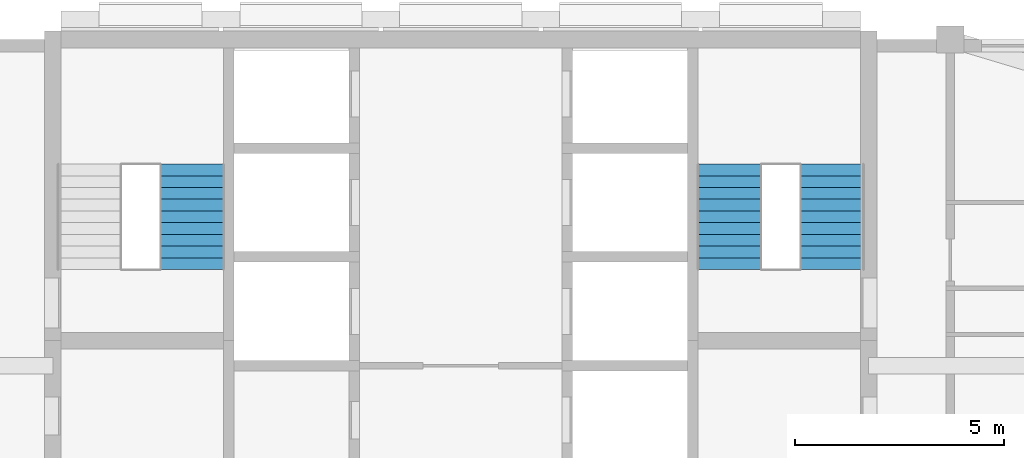
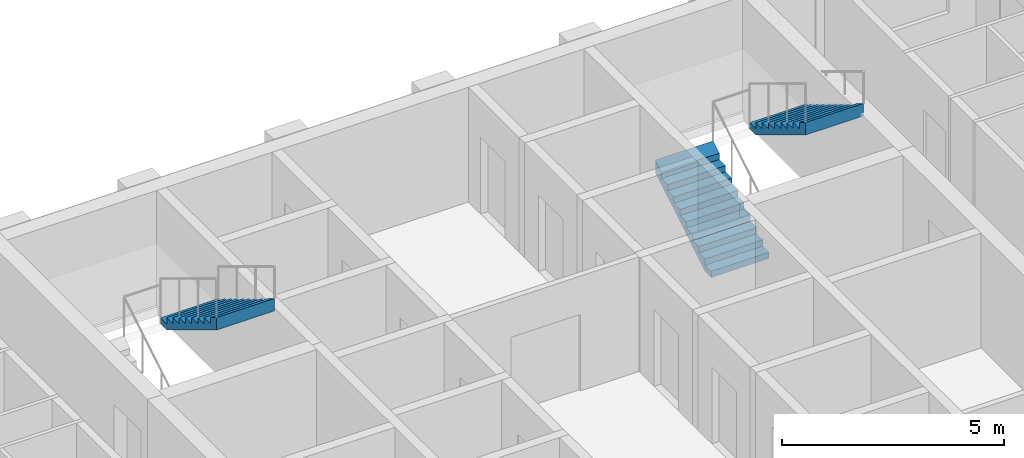
# One storey, part 10 of 13: 3 stair flights, 2 elements without a shape of their own.
"""IFC4 building model written with IfcOpenShell, lengths in metres."""

import ifcopenshell
import ifcopenshell.guid

model = None  # the IFC model being written
_history = None  # IfcOwnerHistory: only IFC2X3 demands one
_inside = {}  # id of a spatial element -> (the spatial element, [elements in it])
_under = {}  # id of a project, library or spatial element -> (it, [spatial elements below it])
_declared = {}  # id of a project -> (the project, [libraries it declares])
_typed = {}  # id of a type object -> (the type object, [elements of that type])
_made_of = {}  # id of a material, layer set ... -> (it, [elements and type objects made of it])


def new_model(schema):
    """Start an empty IFC model of exactly this schema.

    Asked for "IFC4X3", IfcOpenShell would pick the latest addendum, in which some entities
    have other attributes; the version numbers below select the first issue.
    IFC2X3 requires an IfcOwnerHistory on every rooted entity: one is made here for all.
    """
    global model, _history
    if schema == "IFC4X3":
        model = ifcopenshell.file(schema_version=(4, 3, 0, 0))
    else:
        model = ifcopenshell.file(schema=schema)
    _inside.clear()
    _under.clear()
    _declared.clear()
    _typed.clear()
    _made_of.clear()
    _history = None
    if model.schema == "IFC2X3":
        org = make("IfcOrganization", Name="unknown")
        user = make(
            "IfcPersonAndOrganization",
            ThePerson=make("IfcPerson", FamilyName="unknown"),
            TheOrganization=org,
        )
        app = make(
            "IfcApplication",
            ApplicationDeveloper=org,
            Version="unknown",
            ApplicationFullName="unknown",
            ApplicationIdentifier="unknown",
        )
        _history = make(
            "IfcOwnerHistory",
            OwningUser=user,
            OwningApplication=app,
            ChangeAction="ADDED",
            CreationDate=0,
        )
    return model


def make(cls, **values):
    """One entity of the class cls with the attributes given. An attribute that is None is left unset."""
    return model.create_entity(
        cls, **{name: value for name, value in values.items() if value is not None}
    )


def rooted(cls, **values):
    """An entity with a GlobalId (a new one), such as an element, a storey or a relation."""
    return make(cls, GlobalId=ifcopenshell.guid.new(), OwnerHistory=_history, **values)


def si_unit(unit_type, name, prefix=None):
    """IfcSIUnit, for example si_unit("LENGTHUNIT", "METRE", prefix="MILLI")."""
    return make("IfcSIUnit", UnitType=unit_type, Prefix=prefix, Name=name)


def assignment(units):
    """IfcUnitAssignment: the units of a project."""
    return None if units is None else make("IfcUnitAssignment", Units=units)


def point(xyz):
    """IfcCartesianPoint."""
    return None if xyz is None else make("IfcCartesianPoint", Coordinates=xyz)


def direction(xyz):
    """IfcDirection."""
    return None if xyz is None else make("IfcDirection", DirectionRatios=xyz)


def frame(location, z_axis=None, x_axis=None):
    """IfcAxis2Placement3D, a coordinate frame: its origin and axes. An axis left out is left unset."""
    return make(
        "IfcAxis2Placement3D",
        Location=point(location),
        Axis=direction(z_axis),
        RefDirection=direction(x_axis),
    )


def origin():
    """The frame at (0, 0, 0) with its axes left unset."""
    return frame((0.0, 0.0, 0.0))


def place(relative_to, where):
    """IfcLocalPlacement: puts the frame where relative to a parent placement (None: the world)."""
    return make(
        "IfcLocalPlacement", PlacementRelTo=relative_to, RelativePlacement=where
    )


def context(
    kind, dimensions, precision=None, world=None, true_north=None, identifier=None
):
    """IfcGeometricRepresentationContext, for example the 3D "Model" context."""
    return make(
        "IfcGeometricRepresentationContext",
        ContextIdentifier=identifier,
        ContextType=kind,
        CoordinateSpaceDimension=dimensions,
        Precision=precision,
        WorldCoordinateSystem=world,
        TrueNorth=true_north,
    )


def subcontext(parent, identifier, kind, view, scale=None):
    """IfcGeometricRepresentationSubContext, for example "Body" below "Model"."""
    return make(
        "IfcGeometricRepresentationSubContext",
        ContextIdentifier=identifier,
        ContextType=kind,
        ParentContext=parent,
        TargetScale=scale,
        TargetView=view,
    )


def project(units=None, contexts=None):
    """IfcProject with its units and contexts."""
    return rooted(
        "IfcProject",
        Name="project",
        RepresentationContexts=contexts,
        UnitsInContext=assignment(units),
    )


def spatial(cls, under=None, at=None, **own):
    """A site, building, storey or space (cls), placed at a placement, below another one or the project."""
    s = rooted(cls, ObjectPlacement=at, **own)
    if under is not None:
        _under.setdefault(under.id(), (under, []))[1].append(s)
    return s


def point_list(points):
    """IfcCartesianPointList2D or 3D."""
    cls = (
        "IfcCartesianPointList2D" if len(points[0]) == 2 else "IfcCartesianPointList3D"
    )
    return make(cls, CoordList=points)


def triangles(points, corners, closed=None, point_numbers=None):
    """IfcTriangulatedFaceSet: each triangle names its three corners, points numbered from 1."""
    return make(
        "IfcTriangulatedFaceSet",
        Coordinates=point_list(points),
        Closed=closed,
        CoordIndex=corners,
        PnIndex=point_numbers,
    )


def shape(context_of_items, identifier, shape_type, items):
    """IfcShapeRepresentation: the items that make up one representation, for example the "Body"."""
    return make(
        "IfcShapeRepresentation",
        ContextOfItems=context_of_items,
        RepresentationIdentifier=identifier,
        RepresentationType=shape_type,
        Items=items,
    )


def material(Name=None, Category=None):
    """IfcMaterial."""
    return make("IfcMaterial", Name=Name, Category=Category)


def made_of(thing, what):
    """Note that an element or type object is made of a material, layer set ...; save() writes the relation."""
    if what is not None:
        _made_of.setdefault(what.id(), (what, []))[1].append(thing)
    return thing


def type_object(cls, material=None, **own):
    """A type object (cls), such as IfcWallType, which elements share."""
    return made_of(rooted(cls, **own), material)


def element(
    cls,
    number,
    at=None,
    inside=None,
    cuts=None,
    type_object=None,
    material=None,
    context=None,
    identifier="Body",
    shape_type=None,
    held_by="IfcProductDefinitionShape",
    body=None,
    shapes=None,
    **own,
):
    """One element of the class cls, such as IfcWall. Its Tag is "e" and its number.

    at: its placement. inside: the storey or other place that contains it. cuts: it is an
    opening in that element (IfcRelVoidsElement). A single representation is given by context,
    identifier, shape_type and body (its items); several are given by shapes. held_by: the class
    of the entity that holds the representations. save() writes the other relations.
    """
    e = rooted(cls, Tag="e%d" % number, ObjectPlacement=at, **own)
    if body is not None:
        shapes = [shape(context, identifier, shape_type, body)]
    if shapes is not None:
        e.Representation = make(held_by, Representations=shapes)
    if inside is not None:
        _inside.setdefault(inside.id(), (inside, []))[1].append(e)
    if cuts is not None:
        rooted(
            "IfcRelVoidsElement", RelatingBuildingElement=cuts, RelatedOpeningElement=e
        )
    if type_object is not None:
        _typed.setdefault(type_object.id(), (type_object, []))[1].append(e)
    return made_of(e, material)


def aggregate(whole, parts):
    """IfcRelAggregates: a whole, such as a stair, and the parts it consists of."""
    return rooted("IfcRelAggregates", RelatingObject=whole, RelatedObjects=parts)


def save(model, path):
    """Write the relations noted so far, then the file.

    IfcRelAggregates (storeys below a building ...), IfcRelContainedInSpatialStructure (elements
    in a storey), IfcRelDefinesByType, IfcRelAssociatesMaterial and IfcRelDeclares: one each for
    every whole, place, type object, material and project.
    """
    for whole, parts in _under.values():
        aggregate(whole, parts)
    for where, things in _inside.values():
        rooted(
            "IfcRelContainedInSpatialStructure",
            RelatedElements=things,
            RelatingStructure=where,
        )
    for kind, things in _typed.values():
        rooted("IfcRelDefinesByType", RelatedObjects=things, RelatingType=kind)
    for what, things in _made_of.values():
        rooted("IfcRelAssociatesMaterial", RelatedObjects=things, RelatingMaterial=what)
    for by, libraries in _declared.values():
        rooted("IfcRelDeclares", RelatingContext=by, RelatedDefinitions=libraries)
    model.write(path)


model = new_model("IFC4")

# Units and contexts
model_context = context("Model", 3, precision=1e-05, world=origin(), true_north=direction((0.0, 1.0)))
body_context = subcontext(model_context, "Body", "Model", "MODEL_VIEW")
ifc_project = project(units=[si_unit("LENGTHUNIT", "METRE"), si_unit("AREAUNIT", "SQUARE_METRE"), si_unit("VOLUMEUNIT", "CUBIC_METRE"), si_unit("PLANEANGLEUNIT", "RADIAN"), si_unit("MASSUNIT", "GRAM", prefix="KILO")], contexts=[model_context])

# Site, building, storey
site_placement = place(None, origin())
site = spatial("IfcSite", under=ifc_project, at=site_placement, CompositionType="ELEMENT")
building_placement = place(site_placement, origin())
building = spatial("IfcBuilding", under=site, at=building_placement, Name="Ludao Terraces", CompositionType="ELEMENT")
storey_placement = place(building_placement, frame((0.0, 0.0, 259.60009765625)))
storey = spatial("IfcBuildingStorey", under=building, at=storey_placement, Name="L71", CompositionType="ELEMENT", Elevation=259.60009765625)

# Stair, stair flight
ifc_material = material(Name="Concrete C40", Category="concrete")
stair_type = type_object("IfcStairType", Name="INT Stair", PredefinedType="HALF_TURN_STAIR", material=ifc_material)
stair_1_placement = place(storey_placement, origin())
stair_1 = element("IfcStair", 1, at=stair_1_placement, inside=storey, type_object=stair_type, Name="EXIT STAIR 1", PredefinedType="HALF_TURN_STAIR")
stair_flight_type = type_object("IfcStairFlightType", Name="INT Stair flight", PredefinedType="STRAIGHT", material=ifc_material)
stair_flight_1_placement = place(storey_placement, frame((78.574951171875, 81.52001953125, 1.699951171875), z_axis=(0.0, 0.0, 1.0), x_axis=(0.0, -1.0, 0.0)))
stair_flight_1 = element("IfcStairFlight", 2, at=stair_flight_1_placement, type_object=stair_flight_type, Name="ST1 flight 2", NumberOfRisers=10, NumberOfTreads=9, PredefinedType="STRAIGHT", RiserHeight=0.17, TreadLength=0.28, context=body_context, shape_type="Tessellation", body=[
    triangles([(0.0, -0.75, 0.0), (0.0, -0.5, 0.0), (0.0, -0.25, 0.0), (0.0, 0.0, 0.0), (0.0, 0.25, 0.0), (0.0, 0.5, 0.0), (0.0, 0.75, 0.0), (0.0, -0.75, 0.169921875), (0.0, -0.5, 0.169921875), (0.0, -0.25, 0.169921875), (0.0, 0.0, 0.169921875), (0.0, 0.25, 0.169921875), (0.0, 0.5, 0.169921875), (0.0, 0.75, 0.169921875), (0.280029296875, -0.75, 0.169921875), (0.280029296875, -0.5, 0.169921875), (0.280029296875, -0.25, 0.169921875), (0.280029296875, 0.0, 0.169921875), (0.280029296875, 0.25, 0.169921875), (0.280029296875, 0.5, 0.169921875), (0.280029296875, 0.75, 0.169921875), (0.280029296875, -0.75, 0.340087890625), (0.280029296875, -0.5, 0.340087890625), (0.280029296875, -0.25, 0.340087890625), (0.280029296875, 0.0, 0.340087890625), (0.280029296875, 0.25, 0.340087890625), (0.280029296875, 0.5, 0.340087890625), (0.280029296875, 0.75, 0.340087890625), (0.56005859375, -0.75, 0.340087890625), (0.56005859375, -0.5, 0.340087890625), (0.56005859375, -0.25, 0.340087890625), (0.56005859375, 0.0, 0.340087890625), (0.56005859375, 0.25, 0.340087890625), (0.56005859375, 0.5, 0.340087890625), (0.56005859375, 0.75, 0.340087890625), (0.56005859375, -0.75, 0.510009765625), (0.56005859375, -0.5, 0.510009765625), (0.56005859375, -0.25, 0.510009765625), (0.56005859375, 0.0, 0.510009765625), (0.56005859375, 0.25, 0.510009765625), (0.56005859375, 0.5, 0.510009765625), (0.56005859375, 0.75, 0.510009765625), (0.840087890625, -0.75, 0.510009765625), (0.840087890625, -0.5, 0.510009765625), (0.840087890625, -0.25, 0.510009765625), (0.840087890625, 0.0, 0.510009765625), (0.840087890625, 0.25, 0.510009765625), (0.840087890625, 0.5, 0.510009765625), (0.840087890625, 0.75, 0.510009765625), (0.840087890625, -0.75, 0.679931640625), (0.840087890625, -0.5, 0.679931640625), (0.840087890625, -0.25, 0.679931640625), (0.840087890625, 0.0, 0.679931640625), (0.840087890625, 0.25, 0.679931640625), (0.840087890625, 0.5, 0.679931640625), (0.840087890625, 0.75, 0.679931640625), (1.1201171875, -0.75, 0.679931640625), (1.1201171875, -0.5, 0.679931640625), (1.1201171875, -0.25, 0.679931640625), (1.1201171875, 0.0, 0.679931640625), (1.1201171875, 0.25, 0.679931640625), (1.1201171875, 0.5, 0.679931640625), (1.1201171875, 0.75, 0.679931640625), (1.1201171875, -0.75, 0.85009765625), (1.1201171875, -0.5, 0.85009765625), (1.1201171875, -0.25, 0.85009765625), (1.1201171875, 0.0, 0.85009765625), (1.1201171875, 0.25, 0.85009765625), (1.1201171875, 0.5, 0.85009765625), (1.1201171875, 0.75, 0.85009765625), (1.39990234375, -0.75, 0.85009765625), (1.39990234375, -0.5, 0.85009765625), (1.39990234375, -0.25, 0.85009765625), (1.39990234375, 0.0, 0.85009765625), (1.39990234375, 0.25, 0.85009765625), (1.39990234375, 0.5, 0.85009765625), (1.39990234375, 0.75, 0.85009765625), (1.39990234375, -0.75, 1.02001953125), (1.39990234375, -0.5, 1.02001953125), (1.39990234375, -0.25, 1.02001953125), (1.39990234375, 0.0, 1.02001953125), (1.39990234375, 0.25, 1.02001953125), (1.39990234375, 0.5, 1.02001953125), (1.39990234375, 0.75, 1.02001953125), (1.679931640625, -0.75, 1.02001953125), (1.679931640625, -0.5, 1.02001953125), (1.679931640625, -0.25, 1.02001953125), (1.679931640625, 0.0, 1.02001953125), (1.679931640625, 0.25, 1.02001953125), (1.679931640625, 0.5, 1.02001953125), (1.679931640625, 0.75, 1.02001953125), (1.679931640625, -0.75, 1.18994140625), (1.679931640625, -0.5, 1.18994140625), (1.679931640625, -0.25, 1.18994140625), (1.679931640625, 0.0, 1.18994140625), (1.679931640625, 0.25, 1.18994140625), (1.679931640625, 0.5, 1.18994140625), (1.679931640625, 0.75, 1.18994140625), (1.9599609375, -0.75, 1.18994140625), (1.9599609375, -0.5, 1.18994140625), (1.9599609375, -0.25, 1.18994140625), (1.9599609375, 0.0, 1.18994140625), (1.9599609375, 0.25, 1.18994140625), (1.9599609375, 0.5, 1.18994140625), (1.9599609375, 0.75, 1.18994140625), (1.9599609375, -0.75, 1.360107421875), (1.9599609375, -0.5, 1.360107421875), (1.9599609375, -0.25, 1.360107421875), (1.9599609375, 0.0, 1.360107421875), (1.9599609375, 0.25, 1.360107421875), (1.9599609375, 0.5, 1.360107421875), (1.9599609375, 0.75, 1.360107421875), (2.239990234375, -0.75, 1.360107421875), (2.239990234375, -0.5, 1.360107421875), (2.239990234375, -0.25, 1.360107421875), (2.239990234375, 0.0, 1.360107421875), (2.239990234375, 0.25, 1.360107421875), (2.239990234375, 0.5, 1.360107421875), (2.239990234375, 0.75, 1.360107421875), (2.239990234375, -0.75, 1.530029296875), (2.239990234375, -0.5, 1.530029296875), (2.239990234375, -0.25, 1.530029296875), (2.239990234375, 0.0, 1.530029296875), (2.239990234375, 0.25, 1.530029296875), (2.239990234375, 0.5, 1.530029296875), (2.239990234375, 0.75, 1.530029296875), (2.52001953125, -0.75, 1.699951171875), (2.52001953125, -0.5, 1.699951171875), (2.52001953125, -0.25, 1.699951171875), (2.52001953125, 0.0, 1.699951171875), (2.52001953125, 0.25, 1.699951171875), (2.52001953125, 0.5, 1.699951171875), (2.52001953125, 0.75, 1.699951171875), (2.52001953125, -0.75, 1.354736328125), (2.52001953125, -0.5, 1.354736328125), (2.52001953125, -0.25, 1.354736328125), (2.52001953125, 0.0, 1.354736328125), (2.52001953125, 0.25, 1.354736328125), (2.52001953125, 0.5, 1.354736328125), (2.52001953125, 0.75, 1.354736328125), (0.288818359375, -0.75, 0.0), (0.288818359375, -0.5, 0.0), (0.288818359375, -0.25, 0.0), (0.288818359375, 0.0, 0.0), (0.288818359375, 0.25, 0.0), (0.288818359375, 0.5, 0.0), (0.288818359375, 0.75, 0.0)], [[1, 141, 134], [7, 140, 147], [134, 127, 120], [140, 126, 133], [134, 120, 113], [140, 119, 126], [134, 113, 106], [140, 112, 119], [134, 106, 99], [140, 105, 112], [99, 92, 85], [105, 91, 98], [134, 99, 85], [140, 91, 105], [85, 78, 71], [91, 77, 84], [134, 85, 71], [140, 77, 91], [71, 64, 57], [77, 63, 70], [134, 71, 57], [140, 63, 77], [57, 50, 43], [63, 49, 56], [134, 57, 43], [140, 49, 63], [43, 36, 29], [49, 35, 42], [134, 43, 29], [140, 35, 49], [29, 22, 15], [35, 21, 28], [134, 29, 15], [140, 21, 35], [1, 134, 15], [7, 21, 140], [15, 8, 1], [21, 7, 14], [1, 9, 2], [1, 8, 9], [2, 10, 3], [2, 9, 10], [3, 11, 4], [3, 10, 11], [4, 12, 5], [4, 11, 12], [5, 13, 6], [5, 12, 13], [6, 14, 7], [6, 13, 14], [8, 16, 9], [8, 15, 16], [9, 17, 10], [9, 16, 17], [10, 18, 11], [10, 17, 18], [11, 19, 12], [11, 18, 19], [12, 20, 13], [12, 19, 20], [13, 21, 14], [13, 20, 21], [15, 23, 16], [15, 22, 23], [16, 24, 17], [16, 23, 24], [17, 25, 18], [17, 24, 25], [18, 26, 19], [18, 25, 26], [19, 27, 20], [19, 26, 27], [20, 28, 21], [20, 27, 28], [22, 30, 23], [22, 29, 30], [23, 31, 24], [23, 30, 31], [24, 32, 25], [24, 31, 32], [25, 33, 26], [25, 32, 33], [26, 34, 27], [26, 33, 34], [27, 35, 28], [27, 34, 35], [29, 37, 30], [29, 36, 37], [30, 38, 31], [30, 37, 38], [31, 39, 32], [31, 38, 39], [32, 40, 33], [32, 39, 40], [33, 41, 34], [33, 40, 41], [34, 42, 35], [34, 41, 42], [36, 44, 37], [36, 43, 44], [37, 45, 38], [37, 44, 45], [38, 46, 39], [38, 45, 46], [39, 47, 40], [39, 46, 47], [40, 48, 41], [40, 47, 48], [41, 49, 42], [41, 48, 49], [43, 51, 44], [43, 50, 51], [44, 52, 45], [44, 51, 52], [45, 53, 46], [45, 52, 53], [46, 54, 47], [46, 53, 54], [47, 55, 48], [47, 54, 55], [48, 56, 49], [48, 55, 56], [50, 58, 51], [50, 57, 58], [51, 59, 52], [51, 58, 59], [52, 60, 53], [52, 59, 60], [53, 61, 54], [53, 60, 61], [54, 62, 55], [54, 61, 62], [55, 63, 56], [55, 62, 63], [57, 65, 58], [57, 64, 65], [58, 66, 59], [58, 65, 66], [59, 67, 60], [59, 66, 67], [60, 68, 61], [60, 67, 68], [61, 69, 62], [61, 68, 69], [62, 70, 63], [62, 69, 70], [64, 72, 65], [64, 71, 72], [65, 73, 66], [65, 72, 73], [66, 74, 67], [66, 73, 74], [67, 75, 68], [67, 74, 75], [68, 76, 69], [68, 75, 76], [69, 77, 70], [69, 76, 77], [71, 79, 72], [71, 78, 79], [72, 80, 73], [72, 79, 80], [73, 81, 74], [73, 80, 81], [74, 82, 75], [74, 81, 82], [75, 83, 76], [75, 82, 83], [76, 84, 77], [76, 83, 84], [78, 86, 79], [78, 85, 86], [79, 87, 80], [79, 86, 87], [80, 88, 81], [80, 87, 88], [81, 89, 82], [81, 88, 89], [82, 90, 83], [82, 89, 90], [83, 91, 84], [83, 90, 91], [85, 93, 86], [85, 92, 93], [86, 94, 87], [86, 93, 94], [87, 95, 88], [87, 94, 95], [88, 96, 89], [88, 95, 96], [89, 97, 90], [89, 96, 97], [90, 98, 91], [90, 97, 98], [92, 100, 93], [92, 99, 100], [93, 101, 94], [93, 100, 101], [94, 102, 95], [94, 101, 102], [95, 103, 96], [95, 102, 103], [96, 104, 97], [96, 103, 104], [97, 105, 98], [97, 104, 105], [99, 107, 100], [99, 106, 107], [100, 108, 101], [100, 107, 108], [101, 109, 102], [101, 108, 109], [102, 110, 103], [102, 109, 110], [103, 111, 104], [103, 110, 111], [104, 112, 105], [104, 111, 112], [106, 114, 107], [106, 113, 114], [107, 115, 108], [107, 114, 115], [108, 116, 109], [108, 115, 116], [109, 117, 110], [109, 116, 117], [110, 118, 111], [110, 117, 118], [111, 119, 112], [111, 118, 119], [113, 121, 114], [113, 120, 121], [114, 122, 115], [114, 121, 122], [115, 123, 116], [115, 122, 123], [116, 124, 117], [116, 123, 124], [117, 125, 118], [117, 124, 125], [118, 126, 119], [118, 125, 126], [120, 128, 121], [120, 127, 128], [121, 129, 122], [121, 128, 129], [122, 130, 123], [122, 129, 130], [123, 131, 124], [123, 130, 131], [124, 132, 125], [124, 131, 132], [125, 133, 126], [125, 132, 133], [127, 135, 128], [127, 134, 135], [128, 136, 129], [128, 135, 136], [129, 137, 130], [129, 136, 137], [130, 138, 131], [130, 137, 138], [131, 139, 132], [131, 138, 139], [132, 140, 133], [132, 139, 140], [134, 142, 135], [134, 141, 142], [135, 143, 136], [135, 142, 143], [136, 144, 137], [136, 143, 144], [137, 145, 138], [137, 144, 145], [138, 146, 139], [138, 145, 146], [139, 147, 140], [139, 146, 147], [141, 2, 142], [141, 1, 2], [142, 3, 143], [142, 2, 3], [143, 4, 144], [143, 3, 4], [144, 5, 145], [144, 4, 5], [145, 6, 146], [145, 5, 6], [146, 7, 147], [146, 6, 7]], closed=True),
])
aggregate(stair_1, [stair_flight_1])

# Stair, stair flights
stair_2_placement = place(storey_placement, origin())
stair_2 = element("IfcStair", 3, at=stair_2_placement, inside=storey, type_object=stair_type, Name="EXIT STAIR 2", PredefinedType="HALF_TURN_STAIR")
stair_flight_2_placement = place(storey_placement, frame((91.425048828125, 79.0, 0.0), z_axis=(0.0, 0.0, 1.0), x_axis=(0.0, 1.0, 0.0)))
stair_flight_2 = element("IfcStairFlight", 4, at=stair_flight_2_placement, type_object=stair_flight_type, Name="ST2 flight 1", NumberOfRisers=10, NumberOfTreads=9, PredefinedType="STRAIGHT", RiserHeight=0.17, TreadLength=0.28, context=body_context, shape_type="Tessellation", body=[
    triangles([(0.0, -0.75, 0.0), (0.0, -0.5, 0.0), (0.0, -0.25, 0.0), (0.0, 0.0, 0.0), (0.0, 0.25, 0.0), (0.0, 0.5, 0.0), (0.0, 0.75, 0.0), (0.0, -0.75, 0.169921875), (0.0, -0.5, 0.169921875), (0.0, -0.25, 0.169921875), (0.0, 0.0, 0.169921875), (0.0, 0.25, 0.169921875), (0.0, 0.5, 0.169921875), (0.0, 0.75, 0.169921875), (0.280029296875, -0.75, 0.169921875), (0.280029296875, -0.5, 0.169921875), (0.280029296875, -0.25, 0.169921875), (0.280029296875, 0.0, 0.169921875), (0.280029296875, 0.25, 0.169921875), (0.280029296875, 0.5, 0.169921875), (0.280029296875, 0.75, 0.169921875), (0.280029296875, -0.75, 0.340087890625), (0.280029296875, -0.5, 0.340087890625), (0.280029296875, -0.25, 0.340087890625), (0.280029296875, 0.0, 0.340087890625), (0.280029296875, 0.25, 0.340087890625), (0.280029296875, 0.5, 0.340087890625), (0.280029296875, 0.75, 0.340087890625), (0.56005859375, -0.75, 0.340087890625), (0.56005859375, -0.5, 0.340087890625), (0.56005859375, -0.25, 0.340087890625), (0.56005859375, 0.0, 0.340087890625), (0.56005859375, 0.25, 0.340087890625), (0.56005859375, 0.5, 0.340087890625), (0.56005859375, 0.75, 0.340087890625), (0.56005859375, -0.75, 0.510009765625), (0.56005859375, -0.5, 0.510009765625), (0.56005859375, -0.25, 0.510009765625), (0.56005859375, 0.0, 0.510009765625), (0.56005859375, 0.25, 0.510009765625), (0.56005859375, 0.5, 0.510009765625), (0.56005859375, 0.75, 0.510009765625), (0.840087890625, -0.75, 0.510009765625), (0.840087890625, -0.5, 0.510009765625), (0.840087890625, -0.25, 0.510009765625), (0.840087890625, 0.0, 0.510009765625), (0.840087890625, 0.25, 0.510009765625), (0.840087890625, 0.5, 0.510009765625), (0.840087890625, 0.75, 0.510009765625), (0.840087890625, -0.75, 0.679931640625), (0.840087890625, -0.5, 0.679931640625), (0.840087890625, -0.25, 0.679931640625), (0.840087890625, 0.0, 0.679931640625), (0.840087890625, 0.25, 0.679931640625), (0.840087890625, 0.5, 0.679931640625), (0.840087890625, 0.75, 0.679931640625), (1.1201171875, -0.75, 0.679931640625), (1.1201171875, -0.5, 0.679931640625), (1.1201171875, -0.25, 0.679931640625), (1.1201171875, 0.0, 0.679931640625), (1.1201171875, 0.25, 0.679931640625), (1.1201171875, 0.5, 0.679931640625), (1.1201171875, 0.75, 0.679931640625), (1.1201171875, -0.75, 0.85009765625), (1.1201171875, -0.5, 0.85009765625), (1.1201171875, -0.25, 0.85009765625), (1.1201171875, 0.0, 0.85009765625), (1.1201171875, 0.25, 0.85009765625), (1.1201171875, 0.5, 0.85009765625), (1.1201171875, 0.75, 0.85009765625), (1.39990234375, -0.75, 0.85009765625), (1.39990234375, -0.5, 0.85009765625), (1.39990234375, -0.25, 0.85009765625), (1.39990234375, 0.0, 0.85009765625), (1.39990234375, 0.25, 0.85009765625), (1.39990234375, 0.5, 0.85009765625), (1.39990234375, 0.75, 0.85009765625), (1.39990234375, -0.75, 1.02001953125), (1.39990234375, -0.5, 1.02001953125), (1.39990234375, -0.25, 1.02001953125), (1.39990234375, 0.0, 1.02001953125), (1.39990234375, 0.25, 1.02001953125), (1.39990234375, 0.5, 1.02001953125), (1.39990234375, 0.75, 1.02001953125), (1.679931640625, -0.75, 1.02001953125), (1.679931640625, -0.5, 1.02001953125), (1.679931640625, -0.25, 1.02001953125), (1.679931640625, 0.0, 1.02001953125), (1.679931640625, 0.25, 1.02001953125), (1.679931640625, 0.5, 1.02001953125), (1.679931640625, 0.75, 1.02001953125), (1.679931640625, -0.75, 1.18994140625), (1.679931640625, -0.5, 1.18994140625), (1.679931640625, -0.25, 1.18994140625), (1.679931640625, 0.0, 1.18994140625), (1.679931640625, 0.25, 1.18994140625), (1.679931640625, 0.5, 1.18994140625), (1.679931640625, 0.75, 1.18994140625), (1.9599609375, -0.75, 1.18994140625), (1.9599609375, -0.5, 1.18994140625), (1.9599609375, -0.25, 1.18994140625), (1.9599609375, 0.0, 1.18994140625), (1.9599609375, 0.25, 1.18994140625), (1.9599609375, 0.5, 1.18994140625), (1.9599609375, 0.75, 1.18994140625), (1.9599609375, -0.75, 1.360107421875), (1.9599609375, -0.5, 1.360107421875), (1.9599609375, -0.25, 1.360107421875), (1.9599609375, 0.0, 1.360107421875), (1.9599609375, 0.25, 1.360107421875), (1.9599609375, 0.5, 1.360107421875), (1.9599609375, 0.75, 1.360107421875), (2.239990234375, -0.75, 1.360107421875), (2.239990234375, -0.5, 1.360107421875), (2.239990234375, -0.25, 1.360107421875), (2.239990234375, 0.0, 1.360107421875), (2.239990234375, 0.25, 1.360107421875), (2.239990234375, 0.5, 1.360107421875), (2.239990234375, 0.75, 1.360107421875), (2.239990234375, -0.75, 1.530029296875), (2.239990234375, -0.5, 1.530029296875), (2.239990234375, -0.25, 1.530029296875), (2.239990234375, 0.0, 1.530029296875), (2.239990234375, 0.25, 1.530029296875), (2.239990234375, 0.5, 1.530029296875), (2.239990234375, 0.75, 1.530029296875), (2.52001953125, -0.75, 1.699951171875), (2.52001953125, -0.5, 1.699951171875), (2.52001953125, -0.25, 1.699951171875), (2.52001953125, 0.0, 1.699951171875), (2.52001953125, 0.25, 1.699951171875), (2.52001953125, 0.5, 1.699951171875), (2.52001953125, 0.75, 1.699951171875), (2.52001953125, -0.75, 1.354736328125), (2.52001953125, -0.5, 1.354736328125), (2.52001953125, -0.25, 1.354736328125), (2.52001953125, 0.0, 1.354736328125), (2.52001953125, 0.25, 1.354736328125), (2.52001953125, 0.5, 1.354736328125), (2.52001953125, 0.75, 1.354736328125), (0.288818359375, -0.75, 0.0), (0.288818359375, -0.5, 0.0), (0.288818359375, -0.25, 0.0), (0.288818359375, 0.0, 0.0), (0.288818359375, 0.25, 0.0), (0.288818359375, 0.5, 0.0), (0.288818359375, 0.75, 0.0)], [[1, 141, 134], [7, 140, 147], [134, 127, 120], [140, 126, 133], [134, 120, 113], [140, 119, 126], [134, 113, 106], [140, 112, 119], [134, 106, 99], [140, 105, 112], [99, 92, 85], [105, 91, 98], [134, 99, 85], [140, 91, 105], [85, 78, 71], [91, 77, 84], [134, 85, 71], [140, 77, 91], [71, 64, 57], [77, 63, 70], [134, 71, 57], [140, 63, 77], [57, 50, 43], [63, 49, 56], [134, 57, 43], [140, 49, 63], [43, 36, 29], [49, 35, 42], [134, 43, 29], [140, 35, 49], [29, 22, 15], [35, 21, 28], [134, 29, 15], [140, 21, 35], [1, 134, 15], [7, 21, 140], [15, 8, 1], [21, 7, 14], [1, 9, 2], [1, 8, 9], [2, 10, 3], [2, 9, 10], [3, 11, 4], [3, 10, 11], [4, 12, 5], [4, 11, 12], [5, 13, 6], [5, 12, 13], [6, 14, 7], [6, 13, 14], [8, 16, 9], [8, 15, 16], [9, 17, 10], [9, 16, 17], [10, 18, 11], [10, 17, 18], [11, 19, 12], [11, 18, 19], [12, 20, 13], [12, 19, 20], [13, 21, 14], [13, 20, 21], [15, 23, 16], [15, 22, 23], [16, 24, 17], [16, 23, 24], [17, 25, 18], [17, 24, 25], [18, 26, 19], [18, 25, 26], [19, 27, 20], [19, 26, 27], [20, 28, 21], [20, 27, 28], [22, 30, 23], [22, 29, 30], [23, 31, 24], [23, 30, 31], [24, 32, 25], [24, 31, 32], [25, 33, 26], [25, 32, 33], [26, 34, 27], [26, 33, 34], [27, 35, 28], [27, 34, 35], [29, 37, 30], [29, 36, 37], [30, 38, 31], [30, 37, 38], [31, 39, 32], [31, 38, 39], [32, 40, 33], [32, 39, 40], [33, 41, 34], [33, 40, 41], [34, 42, 35], [34, 41, 42], [36, 44, 37], [36, 43, 44], [37, 45, 38], [37, 44, 45], [38, 46, 39], [38, 45, 46], [39, 47, 40], [39, 46, 47], [40, 48, 41], [40, 47, 48], [41, 49, 42], [41, 48, 49], [43, 51, 44], [43, 50, 51], [44, 52, 45], [44, 51, 52], [45, 53, 46], [45, 52, 53], [46, 54, 47], [46, 53, 54], [47, 55, 48], [47, 54, 55], [48, 56, 49], [48, 55, 56], [50, 58, 51], [50, 57, 58], [51, 59, 52], [51, 58, 59], [52, 60, 53], [52, 59, 60], [53, 61, 54], [53, 60, 61], [54, 62, 55], [54, 61, 62], [55, 63, 56], [55, 62, 63], [57, 65, 58], [57, 64, 65], [58, 66, 59], [58, 65, 66], [59, 67, 60], [59, 66, 67], [60, 68, 61], [60, 67, 68], [61, 69, 62], [61, 68, 69], [62, 70, 63], [62, 69, 70], [64, 72, 65], [64, 71, 72], [65, 73, 66], [65, 72, 73], [66, 74, 67], [66, 73, 74], [67, 75, 68], [67, 74, 75], [68, 76, 69], [68, 75, 76], [69, 77, 70], [69, 76, 77], [71, 79, 72], [71, 78, 79], [72, 80, 73], [72, 79, 80], [73, 81, 74], [73, 80, 81], [74, 82, 75], [74, 81, 82], [75, 83, 76], [75, 82, 83], [76, 84, 77], [76, 83, 84], [78, 86, 79], [78, 85, 86], [79, 87, 80], [79, 86, 87], [80, 88, 81], [80, 87, 88], [81, 89, 82], [81, 88, 89], [82, 90, 83], [82, 89, 90], [83, 91, 84], [83, 90, 91], [85, 93, 86], [85, 92, 93], [86, 94, 87], [86, 93, 94], [87, 95, 88], [87, 94, 95], [88, 96, 89], [88, 95, 96], [89, 97, 90], [89, 96, 97], [90, 98, 91], [90, 97, 98], [92, 100, 93], [92, 99, 100], [93, 101, 94], [93, 100, 101], [94, 102, 95], [94, 101, 102], [95, 103, 96], [95, 102, 103], [96, 104, 97], [96, 103, 104], [97, 105, 98], [97, 104, 105], [99, 107, 100], [99, 106, 107], [100, 108, 101], [100, 107, 108], [101, 109, 102], [101, 108, 109], [102, 110, 103], [102, 109, 110], [103, 111, 104], [103, 110, 111], [104, 112, 105], [104, 111, 112], [106, 114, 107], [106, 113, 114], [107, 115, 108], [107, 114, 115], [108, 116, 109], [108, 115, 116], [109, 117, 110], [109, 116, 117], [110, 118, 111], [110, 117, 118], [111, 119, 112], [111, 118, 119], [113, 121, 114], [113, 120, 121], [114, 122, 115], [114, 121, 122], [115, 123, 116], [115, 122, 123], [116, 124, 117], [116, 123, 124], [117, 125, 118], [117, 124, 125], [118, 126, 119], [118, 125, 126], [120, 128, 121], [120, 127, 128], [121, 129, 122], [121, 128, 129], [122, 130, 123], [122, 129, 130], [123, 131, 124], [123, 130, 131], [124, 132, 125], [124, 131, 132], [125, 133, 126], [125, 132, 133], [127, 135, 128], [127, 134, 135], [128, 136, 129], [128, 135, 136], [129, 137, 130], [129, 136, 137], [130, 138, 131], [130, 137, 138], [131, 139, 132], [131, 138, 139], [132, 140, 133], [132, 139, 140], [134, 142, 135], [134, 141, 142], [135, 143, 136], [135, 142, 143], [136, 144, 137], [136, 143, 144], [137, 145, 138], [137, 144, 145], [138, 146, 139], [138, 145, 146], [139, 147, 140], [139, 146, 147], [141, 2, 142], [141, 1, 2], [142, 3, 143], [142, 2, 3], [143, 4, 144], [143, 3, 4], [144, 5, 145], [144, 4, 5], [145, 6, 146], [145, 5, 6], [146, 7, 147], [146, 6, 7]], closed=True),
])
stair_flight_3_placement = place(storey_placement, frame((93.875, 81.52001953125, 1.699951171875), z_axis=(0.0, 0.0, 1.0), x_axis=(0.0, -1.0, 0.0)))
stair_flight_3 = element("IfcStairFlight", 5, at=stair_flight_3_placement, type_object=stair_flight_type, Name="ST2 flight 2", NumberOfRisers=10, NumberOfTreads=9, PredefinedType="STRAIGHT", RiserHeight=0.17, TreadLength=0.28, context=body_context, shape_type="Tessellation", body=[
    triangles([(0.0, -0.75, 0.0), (0.0, -0.5, 0.0), (0.0, -0.25, 0.0), (0.0, 0.0, 0.0), (0.0, 0.25, 0.0), (0.0, 0.5, 0.0), (0.0, 0.75, 0.0), (0.0, -0.75, 0.169921875), (0.0, -0.5, 0.169921875), (0.0, -0.25, 0.169921875), (0.0, 0.0, 0.169921875), (0.0, 0.25, 0.169921875), (0.0, 0.5, 0.169921875), (0.0, 0.75, 0.169921875), (0.280029296875, -0.75, 0.169921875), (0.280029296875, -0.5, 0.169921875), (0.280029296875, -0.25, 0.169921875), (0.280029296875, 0.0, 0.169921875), (0.280029296875, 0.25, 0.169921875), (0.280029296875, 0.5, 0.169921875), (0.280029296875, 0.75, 0.169921875), (0.280029296875, -0.75, 0.340087890625), (0.280029296875, -0.5, 0.340087890625), (0.280029296875, -0.25, 0.340087890625), (0.280029296875, 0.0, 0.340087890625), (0.280029296875, 0.25, 0.340087890625), (0.280029296875, 0.5, 0.340087890625), (0.280029296875, 0.75, 0.340087890625), (0.56005859375, -0.75, 0.340087890625), (0.56005859375, -0.5, 0.340087890625), (0.56005859375, -0.25, 0.340087890625), (0.56005859375, 0.0, 0.340087890625), (0.56005859375, 0.25, 0.340087890625), (0.56005859375, 0.5, 0.340087890625), (0.56005859375, 0.75, 0.340087890625), (0.56005859375, -0.75, 0.510009765625), (0.56005859375, -0.5, 0.510009765625), (0.56005859375, -0.25, 0.510009765625), (0.56005859375, 0.0, 0.510009765625), (0.56005859375, 0.25, 0.510009765625), (0.56005859375, 0.5, 0.510009765625), (0.56005859375, 0.75, 0.510009765625), (0.840087890625, -0.75, 0.510009765625), (0.840087890625, -0.5, 0.510009765625), (0.840087890625, -0.25, 0.510009765625), (0.840087890625, 0.0, 0.510009765625), (0.840087890625, 0.25, 0.510009765625), (0.840087890625, 0.5, 0.510009765625), (0.840087890625, 0.75, 0.510009765625), (0.840087890625, -0.75, 0.679931640625), (0.840087890625, -0.5, 0.679931640625), (0.840087890625, -0.25, 0.679931640625), (0.840087890625, 0.0, 0.679931640625), (0.840087890625, 0.25, 0.679931640625), (0.840087890625, 0.5, 0.679931640625), (0.840087890625, 0.75, 0.679931640625), (1.1201171875, -0.75, 0.679931640625), (1.1201171875, -0.5, 0.679931640625), (1.1201171875, -0.25, 0.679931640625), (1.1201171875, 0.0, 0.679931640625), (1.1201171875, 0.25, 0.679931640625), (1.1201171875, 0.5, 0.679931640625), (1.1201171875, 0.75, 0.679931640625), (1.1201171875, -0.75, 0.85009765625), (1.1201171875, -0.5, 0.85009765625), (1.1201171875, -0.25, 0.85009765625), (1.1201171875, 0.0, 0.85009765625), (1.1201171875, 0.25, 0.85009765625), (1.1201171875, 0.5, 0.85009765625), (1.1201171875, 0.75, 0.85009765625), (1.39990234375, -0.75, 0.85009765625), (1.39990234375, -0.5, 0.85009765625), (1.39990234375, -0.25, 0.85009765625), (1.39990234375, 0.0, 0.85009765625), (1.39990234375, 0.25, 0.85009765625), (1.39990234375, 0.5, 0.85009765625), (1.39990234375, 0.75, 0.85009765625), (1.39990234375, -0.75, 1.02001953125), (1.39990234375, -0.5, 1.02001953125), (1.39990234375, -0.25, 1.02001953125), (1.39990234375, 0.0, 1.02001953125), (1.39990234375, 0.25, 1.02001953125), (1.39990234375, 0.5, 1.02001953125), (1.39990234375, 0.75, 1.02001953125), (1.679931640625, -0.75, 1.02001953125), (1.679931640625, -0.5, 1.02001953125), (1.679931640625, -0.25, 1.02001953125), (1.679931640625, 0.0, 1.02001953125), (1.679931640625, 0.25, 1.02001953125), (1.679931640625, 0.5, 1.02001953125), (1.679931640625, 0.75, 1.02001953125), (1.679931640625, -0.75, 1.18994140625), (1.679931640625, -0.5, 1.18994140625), (1.679931640625, -0.25, 1.18994140625), (1.679931640625, 0.0, 1.18994140625), (1.679931640625, 0.25, 1.18994140625), (1.679931640625, 0.5, 1.18994140625), (1.679931640625, 0.75, 1.18994140625), (1.9599609375, -0.75, 1.18994140625), (1.9599609375, -0.5, 1.18994140625), (1.9599609375, -0.25, 1.18994140625), (1.9599609375, 0.0, 1.18994140625), (1.9599609375, 0.25, 1.18994140625), (1.9599609375, 0.5, 1.18994140625), (1.9599609375, 0.75, 1.18994140625), (1.9599609375, -0.75, 1.360107421875), (1.9599609375, -0.5, 1.360107421875), (1.9599609375, -0.25, 1.360107421875), (1.9599609375, 0.0, 1.360107421875), (1.9599609375, 0.25, 1.360107421875), (1.9599609375, 0.5, 1.360107421875), (1.9599609375, 0.75, 1.360107421875), (2.239990234375, -0.75, 1.360107421875), (2.239990234375, -0.5, 1.360107421875), (2.239990234375, -0.25, 1.360107421875), (2.239990234375, 0.0, 1.360107421875), (2.239990234375, 0.25, 1.360107421875), (2.239990234375, 0.5, 1.360107421875), (2.239990234375, 0.75, 1.360107421875), (2.239990234375, -0.75, 1.530029296875), (2.239990234375, -0.5, 1.530029296875), (2.239990234375, -0.25, 1.530029296875), (2.239990234375, 0.0, 1.530029296875), (2.239990234375, 0.25, 1.530029296875), (2.239990234375, 0.5, 1.530029296875), (2.239990234375, 0.75, 1.530029296875), (2.52001953125, -0.75, 1.699951171875), (2.52001953125, -0.5, 1.699951171875), (2.52001953125, -0.25, 1.699951171875), (2.52001953125, 0.0, 1.699951171875), (2.52001953125, 0.25, 1.699951171875), (2.52001953125, 0.5, 1.699951171875), (2.52001953125, 0.75, 1.699951171875), (2.52001953125, -0.75, 1.354736328125), (2.52001953125, -0.5, 1.354736328125), (2.52001953125, -0.25, 1.354736328125), (2.52001953125, 0.0, 1.354736328125), (2.52001953125, 0.25, 1.354736328125), (2.52001953125, 0.5, 1.354736328125), (2.52001953125, 0.75, 1.354736328125), (0.288818359375, -0.75, 0.0), (0.288818359375, -0.5, 0.0), (0.288818359375, -0.25, 0.0), (0.288818359375, 0.0, 0.0), (0.288818359375, 0.25, 0.0), (0.288818359375, 0.5, 0.0), (0.288818359375, 0.75, 0.0)], [[1, 141, 134], [7, 140, 147], [134, 127, 120], [140, 126, 133], [134, 120, 113], [140, 119, 126], [134, 113, 106], [140, 112, 119], [134, 106, 99], [140, 105, 112], [99, 92, 85], [105, 91, 98], [134, 99, 85], [140, 91, 105], [85, 78, 71], [91, 77, 84], [134, 85, 71], [140, 77, 91], [71, 64, 57], [77, 63, 70], [134, 71, 57], [140, 63, 77], [57, 50, 43], [63, 49, 56], [134, 57, 43], [140, 49, 63], [43, 36, 29], [49, 35, 42], [134, 43, 29], [140, 35, 49], [29, 22, 15], [35, 21, 28], [134, 29, 15], [140, 21, 35], [1, 134, 15], [7, 21, 140], [15, 8, 1], [21, 7, 14], [1, 9, 2], [1, 8, 9], [2, 10, 3], [2, 9, 10], [3, 11, 4], [3, 10, 11], [4, 12, 5], [4, 11, 12], [5, 13, 6], [5, 12, 13], [6, 14, 7], [6, 13, 14], [8, 16, 9], [8, 15, 16], [9, 17, 10], [9, 16, 17], [10, 18, 11], [10, 17, 18], [11, 19, 12], [11, 18, 19], [12, 20, 13], [12, 19, 20], [13, 21, 14], [13, 20, 21], [15, 23, 16], [15, 22, 23], [16, 24, 17], [16, 23, 24], [17, 25, 18], [17, 24, 25], [18, 26, 19], [18, 25, 26], [19, 27, 20], [19, 26, 27], [20, 28, 21], [20, 27, 28], [22, 30, 23], [22, 29, 30], [23, 31, 24], [23, 30, 31], [24, 32, 25], [24, 31, 32], [25, 33, 26], [25, 32, 33], [26, 34, 27], [26, 33, 34], [27, 35, 28], [27, 34, 35], [29, 37, 30], [29, 36, 37], [30, 38, 31], [30, 37, 38], [31, 39, 32], [31, 38, 39], [32, 40, 33], [32, 39, 40], [33, 41, 34], [33, 40, 41], [34, 42, 35], [34, 41, 42], [36, 44, 37], [36, 43, 44], [37, 45, 38], [37, 44, 45], [38, 46, 39], [38, 45, 46], [39, 47, 40], [39, 46, 47], [40, 48, 41], [40, 47, 48], [41, 49, 42], [41, 48, 49], [43, 51, 44], [43, 50, 51], [44, 52, 45], [44, 51, 52], [45, 53, 46], [45, 52, 53], [46, 54, 47], [46, 53, 54], [47, 55, 48], [47, 54, 55], [48, 56, 49], [48, 55, 56], [50, 58, 51], [50, 57, 58], [51, 59, 52], [51, 58, 59], [52, 60, 53], [52, 59, 60], [53, 61, 54], [53, 60, 61], [54, 62, 55], [54, 61, 62], [55, 63, 56], [55, 62, 63], [57, 65, 58], [57, 64, 65], [58, 66, 59], [58, 65, 66], [59, 67, 60], [59, 66, 67], [60, 68, 61], [60, 67, 68], [61, 69, 62], [61, 68, 69], [62, 70, 63], [62, 69, 70], [64, 72, 65], [64, 71, 72], [65, 73, 66], [65, 72, 73], [66, 74, 67], [66, 73, 74], [67, 75, 68], [67, 74, 75], [68, 76, 69], [68, 75, 76], [69, 77, 70], [69, 76, 77], [71, 79, 72], [71, 78, 79], [72, 80, 73], [72, 79, 80], [73, 81, 74], [73, 80, 81], [74, 82, 75], [74, 81, 82], [75, 83, 76], [75, 82, 83], [76, 84, 77], [76, 83, 84], [78, 86, 79], [78, 85, 86], [79, 87, 80], [79, 86, 87], [80, 88, 81], [80, 87, 88], [81, 89, 82], [81, 88, 89], [82, 90, 83], [82, 89, 90], [83, 91, 84], [83, 90, 91], [85, 93, 86], [85, 92, 93], [86, 94, 87], [86, 93, 94], [87, 95, 88], [87, 94, 95], [88, 96, 89], [88, 95, 96], [89, 97, 90], [89, 96, 97], [90, 98, 91], [90, 97, 98], [92, 100, 93], [92, 99, 100], [93, 101, 94], [93, 100, 101], [94, 102, 95], [94, 101, 102], [95, 103, 96], [95, 102, 103], [96, 104, 97], [96, 103, 104], [97, 105, 98], [97, 104, 105], [99, 107, 100], [99, 106, 107], [100, 108, 101], [100, 107, 108], [101, 109, 102], [101, 108, 109], [102, 110, 103], [102, 109, 110], [103, 111, 104], [103, 110, 111], [104, 112, 105], [104, 111, 112], [106, 114, 107], [106, 113, 114], [107, 115, 108], [107, 114, 115], [108, 116, 109], [108, 115, 116], [109, 117, 110], [109, 116, 117], [110, 118, 111], [110, 117, 118], [111, 119, 112], [111, 118, 119], [113, 121, 114], [113, 120, 121], [114, 122, 115], [114, 121, 122], [115, 123, 116], [115, 122, 123], [116, 124, 117], [116, 123, 124], [117, 125, 118], [117, 124, 125], [118, 126, 119], [118, 125, 126], [120, 128, 121], [120, 127, 128], [121, 129, 122], [121, 128, 129], [122, 130, 123], [122, 129, 130], [123, 131, 124], [123, 130, 131], [124, 132, 125], [124, 131, 132], [125, 133, 126], [125, 132, 133], [127, 135, 128], [127, 134, 135], [128, 136, 129], [128, 135, 136], [129, 137, 130], [129, 136, 137], [130, 138, 131], [130, 137, 138], [131, 139, 132], [131, 138, 139], [132, 140, 133], [132, 139, 140], [134, 142, 135], [134, 141, 142], [135, 143, 136], [135, 142, 143], [136, 144, 137], [136, 143, 144], [137, 145, 138], [137, 144, 145], [138, 146, 139], [138, 145, 146], [139, 147, 140], [139, 146, 147], [141, 2, 142], [141, 1, 2], [142, 3, 143], [142, 2, 3], [143, 4, 144], [143, 3, 4], [144, 5, 145], [144, 4, 5], [145, 6, 146], [145, 5, 6], [146, 7, 147], [146, 6, 7]], closed=True),
])
aggregate(stair_2, [stair_flight_2, stair_flight_3])

save(model, "model.ifc")
